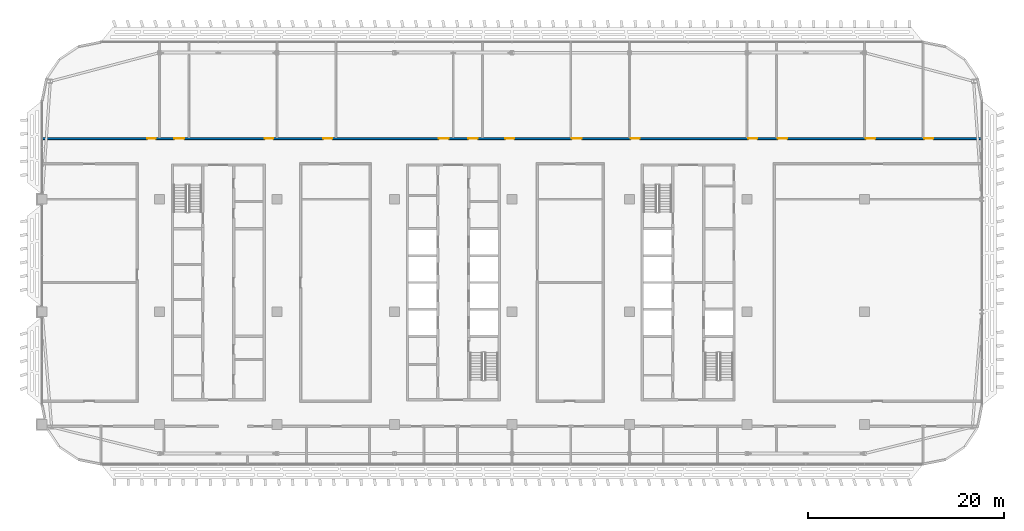
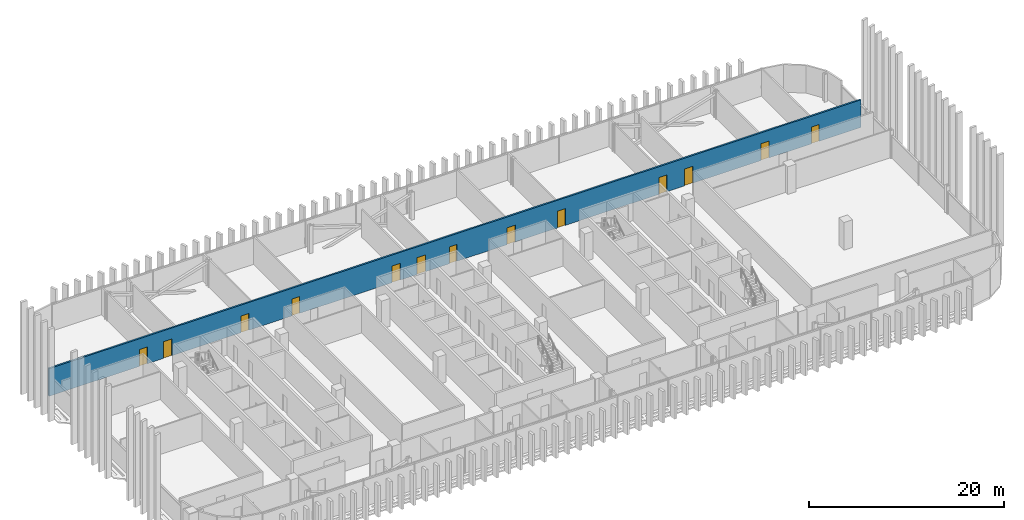
# One storey, part 19 of 32: 13 doors, 1 wall, 13 openings.
"""IFC4 building model written with IfcOpenShell, lengths in metres."""

import ifcopenshell
import ifcopenshell.guid

model = None  # the IFC model being written
_history = None  # IfcOwnerHistory: only IFC2X3 demands one
_inside = {}  # id of a spatial element -> (the spatial element, [elements in it])
_under = {}  # id of a project, library or spatial element -> (it, [spatial elements below it])
_declared = {}  # id of a project -> (the project, [libraries it declares])
_typed = {}  # id of a type object -> (the type object, [elements of that type])
_made_of = {}  # id of a material, layer set ... -> (it, [elements and type objects made of it])


def new_model(schema):
    """Start an empty IFC model of exactly this schema.

    Asked for "IFC4X3", IfcOpenShell would pick the latest addendum, in which some entities
    have other attributes; the version numbers below select the first issue.
    IFC2X3 requires an IfcOwnerHistory on every rooted entity: one is made here for all.
    """
    global model, _history
    if schema == "IFC4X3":
        model = ifcopenshell.file(schema_version=(4, 3, 0, 0))
    else:
        model = ifcopenshell.file(schema=schema)
    _inside.clear()
    _under.clear()
    _declared.clear()
    _typed.clear()
    _made_of.clear()
    _history = None
    if model.schema == "IFC2X3":
        org = make("IfcOrganization", Name="unknown")
        user = make(
            "IfcPersonAndOrganization",
            ThePerson=make("IfcPerson", FamilyName="unknown"),
            TheOrganization=org,
        )
        app = make(
            "IfcApplication",
            ApplicationDeveloper=org,
            Version="unknown",
            ApplicationFullName="unknown",
            ApplicationIdentifier="unknown",
        )
        _history = make(
            "IfcOwnerHistory",
            OwningUser=user,
            OwningApplication=app,
            ChangeAction="ADDED",
            CreationDate=0,
        )
    return model


def make(cls, **values):
    """One entity of the class cls with the attributes given. An attribute that is None is left unset."""
    return model.create_entity(
        cls, **{name: value for name, value in values.items() if value is not None}
    )


def rooted(cls, **values):
    """An entity with a GlobalId (a new one), such as an element, a storey or a relation."""
    return make(cls, GlobalId=ifcopenshell.guid.new(), OwnerHistory=_history, **values)


def si_unit(unit_type, name, prefix=None):
    """IfcSIUnit, for example si_unit("LENGTHUNIT", "METRE", prefix="MILLI")."""
    return make("IfcSIUnit", UnitType=unit_type, Prefix=prefix, Name=name)


def assignment(units):
    """IfcUnitAssignment: the units of a project."""
    return None if units is None else make("IfcUnitAssignment", Units=units)


def point(xyz):
    """IfcCartesianPoint."""
    return None if xyz is None else make("IfcCartesianPoint", Coordinates=xyz)


def direction(xyz):
    """IfcDirection."""
    return None if xyz is None else make("IfcDirection", DirectionRatios=xyz)


def frame(location, z_axis=None, x_axis=None):
    """IfcAxis2Placement3D, a coordinate frame: its origin and axes. An axis left out is left unset."""
    return make(
        "IfcAxis2Placement3D",
        Location=point(location),
        Axis=direction(z_axis),
        RefDirection=direction(x_axis),
    )


def frame_2d(location, x_axis=None):
    """IfcAxis2Placement2D, a coordinate frame in the plane: its origin and x axis."""
    return make(
        "IfcAxis2Placement2D", Location=point(location), RefDirection=direction(x_axis)
    )


def origin():
    """The frame at (0, 0, 0) with its axes left unset."""
    return frame((0.0, 0.0, 0.0))


def place(relative_to, where):
    """IfcLocalPlacement: puts the frame where relative to a parent placement (None: the world)."""
    return make(
        "IfcLocalPlacement", PlacementRelTo=relative_to, RelativePlacement=where
    )


def context(
    kind, dimensions, precision=None, world=None, true_north=None, identifier=None
):
    """IfcGeometricRepresentationContext, for example the 3D "Model" context."""
    return make(
        "IfcGeometricRepresentationContext",
        ContextIdentifier=identifier,
        ContextType=kind,
        CoordinateSpaceDimension=dimensions,
        Precision=precision,
        WorldCoordinateSystem=world,
        TrueNorth=true_north,
    )


def subcontext(parent, identifier, kind, view, scale=None):
    """IfcGeometricRepresentationSubContext, for example "Body" below "Model"."""
    return make(
        "IfcGeometricRepresentationSubContext",
        ContextIdentifier=identifier,
        ContextType=kind,
        ParentContext=parent,
        TargetScale=scale,
        TargetView=view,
    )


def project(units=None, contexts=None):
    """IfcProject with its units and contexts."""
    return rooted(
        "IfcProject",
        Name="project",
        RepresentationContexts=contexts,
        UnitsInContext=assignment(units),
    )


def spatial(cls, under=None, at=None, **own):
    """A site, building, storey or space (cls), placed at a placement, below another one or the project."""
    s = rooted(cls, ObjectPlacement=at, **own)
    if under is not None:
        _under.setdefault(under.id(), (under, []))[1].append(s)
    return s


def profile(cls, at=None, kind="AREA", **sizes):
    """A parametric profile (cls). Its sizes go by their IFC names, for example OverallWidth=200.0."""
    return make(cls, ProfileType=kind, Position=at, **sizes)


def rectangle(**sizes):
    """IfcRectangleProfileDef."""
    return profile("IfcRectangleProfileDef", **sizes)


def extrude(swept, where, along, depth):
    """IfcExtrudedAreaSolid: the profile swept, set in the frame where, extruded along a direction by depth."""
    return make(
        "IfcExtrudedAreaSolid",
        SweptArea=swept,
        Position=where,
        ExtrudedDirection=direction(along),
        Depth=depth,
    )


def shape(context_of_items, identifier, shape_type, items):
    """IfcShapeRepresentation: the items that make up one representation, for example the "Body"."""
    return make(
        "IfcShapeRepresentation",
        ContextOfItems=context_of_items,
        RepresentationIdentifier=identifier,
        RepresentationType=shape_type,
        Items=items,
    )


def material(Name=None, Category=None):
    """IfcMaterial."""
    return make("IfcMaterial", Name=Name, Category=Category)


def layer(
    of_material, thickness, ventilated=None, Name=None, Category=None, Priority=None
):
    """IfcMaterialLayer: one layer of a wall or slab, of a material (None: an air gap)."""
    return make(
        "IfcMaterialLayer",
        Material=of_material,
        LayerThickness=thickness,
        IsVentilated=ventilated,
        Name=Name,
        Category=Category,
        Priority=Priority,
    )


def layer_set(layers, Name=None):
    """IfcMaterialLayerSet."""
    return make("IfcMaterialLayerSet", MaterialLayers=layers, LayerSetName=Name)


def made_of(thing, what):
    """Note that an element or type object is made of a material, layer set ...; save() writes the relation."""
    if what is not None:
        _made_of.setdefault(what.id(), (what, []))[1].append(thing)
    return thing


def type_object(cls, material=None, **own):
    """A type object (cls), such as IfcWallType, which elements share."""
    return made_of(rooted(cls, **own), material)


def element(
    cls,
    number,
    at=None,
    inside=None,
    cuts=None,
    type_object=None,
    material=None,
    context=None,
    identifier="Body",
    shape_type=None,
    held_by="IfcProductDefinitionShape",
    body=None,
    shapes=None,
    **own,
):
    """One element of the class cls, such as IfcWall. Its Tag is "e" and its number.

    at: its placement. inside: the storey or other place that contains it. cuts: it is an
    opening in that element (IfcRelVoidsElement). A single representation is given by context,
    identifier, shape_type and body (its items); several are given by shapes. held_by: the class
    of the entity that holds the representations. save() writes the other relations.
    """
    e = rooted(cls, Tag="e%d" % number, ObjectPlacement=at, **own)
    if body is not None:
        shapes = [shape(context, identifier, shape_type, body)]
    if shapes is not None:
        e.Representation = make(held_by, Representations=shapes)
    if inside is not None:
        _inside.setdefault(inside.id(), (inside, []))[1].append(e)
    if cuts is not None:
        rooted(
            "IfcRelVoidsElement", RelatingBuildingElement=cuts, RelatedOpeningElement=e
        )
    if type_object is not None:
        _typed.setdefault(type_object.id(), (type_object, []))[1].append(e)
    return made_of(e, material)


def fill(opening, filler):
    """IfcRelFillsElement: the door or window that sits in an opening."""
    return rooted(
        "IfcRelFillsElement",
        RelatingOpeningElement=opening,
        RelatedBuildingElement=filler,
    )


def aggregate(whole, parts):
    """IfcRelAggregates: a whole, such as a stair, and the parts it consists of."""
    return rooted("IfcRelAggregates", RelatingObject=whole, RelatedObjects=parts)


def save(model, path):
    """Write the relations noted so far, then the file.

    IfcRelAggregates (storeys below a building ...), IfcRelContainedInSpatialStructure (elements
    in a storey), IfcRelDefinesByType, IfcRelAssociatesMaterial and IfcRelDeclares: one each for
    every whole, place, type object, material and project.
    """
    for whole, parts in _under.values():
        aggregate(whole, parts)
    for where, things in _inside.values():
        rooted(
            "IfcRelContainedInSpatialStructure",
            RelatedElements=things,
            RelatingStructure=where,
        )
    for kind, things in _typed.values():
        rooted("IfcRelDefinesByType", RelatedObjects=things, RelatingType=kind)
    for what, things in _made_of.values():
        rooted("IfcRelAssociatesMaterial", RelatedObjects=things, RelatingMaterial=what)
    for by, libraries in _declared.values():
        rooted("IfcRelDeclares", RelatingContext=by, RelatedDefinitions=libraries)
    model.write(path)


model = new_model("IFC4")

# Units and contexts
model_context = context("Model", 3, precision=1e-05, world=origin(), true_north=direction((0.0, 1.0)))
body_context = subcontext(model_context, "Body", "Model", "MODEL_VIEW")
ifc_project = project(units=[si_unit("LENGTHUNIT", "METRE"), si_unit("AREAUNIT", "SQUARE_METRE"), si_unit("VOLUMEUNIT", "CUBIC_METRE"), si_unit("PLANEANGLEUNIT", "RADIAN"), si_unit("MASSUNIT", "GRAM", prefix="KILO")], contexts=[model_context])

# Site, building, storey
site_placement = place(None, origin())
site = spatial("IfcSite", under=ifc_project, at=site_placement, CompositionType="ELEMENT")
building_placement = place(site_placement, origin())
building = spatial("IfcBuilding", under=site, at=building_placement, Name="Mahtab Terrace Research Tower", CompositionType="ELEMENT")
storey_placement = place(building_placement, frame((0.0, 0.0, 243.800048828125)))
storey = spatial("IfcBuildingStorey", under=building, at=storey_placement, Name="L59", CompositionType="ELEMENT", Elevation=243.800048828125)

# Wall, openings, doors
ifc_material_1 = material(Name="Gypsum board corridor wall on steel studs", Category="steel")
ifc_layer = layer(ifc_material_1, 0.199951171875)
ifc_layer_set = layer_set([ifc_layer], Name="WALL CORRIDOR 200")
wall_type = type_object("IfcWallType", Name="WALL CORRIDOR 200", PredefinedType="PARTITIONING", material=ifc_layer_set)
wall_placement = place(storey_placement, frame((-41.97509765625, 17.699951171875, 0.0), z_axis=(0.0, 0.0, 1.0), x_axis=(1.0, 0.0, 0.0)))
wall = element("IfcWall", 1, at=wall_placement, inside=storey, type_object=wall_type, Name="L59-W025", PredefinedType="PARTITIONING", context=body_context, shape_type="SweptSolid", body=[
    extrude(rectangle(XDim=95.9501953125, YDim=0.199951171875, at=frame_2d((47.97509765625, 0.0))), origin(), (0.0, 0.0, 1.0), 3.4599609375),
])
opening_1_placement = place(wall_placement, frame((10.699951171875, 0.0, 0.0)))
opening_1 = element("IfcOpeningElement", 2, at=opening_1_placement, cuts=wall, Name="Opening L59-127", PredefinedType="OPENING", context=body_context, shape_type="SweptSolid", body=[
    extrude(rectangle(XDim=0.89990234375, YDim=2.10009765625, at=frame_2d((0.449951171875, 1.050048828125))), frame((0.0, 0.10986328125, 0.0), z_axis=(0.0, -1.0, 0.0), x_axis=(1.0, 0.0, 0.0)), (0.0, 0.0, 1.0), 0.219970703125),
])
opening_2_placement = place(wall_placement, frame((13.5, 0.0, 0.0)))
opening_2 = element("IfcOpeningElement", 3, at=opening_2_placement, cuts=wall, Name="Opening L59-128", PredefinedType="OPENING", context=body_context, shape_type="SweptSolid", body=[
    extrude(rectangle(XDim=1.0, YDim=2.10009765625, at=frame_2d((0.5, 1.050048828125))), frame((0.0, 0.10986328125, 0.0), z_axis=(0.0, -1.0, 0.0), x_axis=(1.0, 0.0, 0.0)), (0.0, 0.0, 1.0), 0.219970703125),
])
opening_3_placement = place(wall_placement, frame((22.699951171875, 0.0, 0.0)))
opening_3 = element("IfcOpeningElement", 4, at=opening_3_placement, cuts=wall, Name="Opening L59-129", PredefinedType="OPENING", context=body_context, shape_type="SweptSolid", body=[
    extrude(rectangle(XDim=0.89990234375, YDim=2.10009765625, at=frame_2d((0.449951171875, 1.050048828125))), frame((0.0, 0.10986328125, 0.0), z_axis=(0.0, -1.0, 0.0), x_axis=(1.0, 0.0, 0.0)), (0.0, 0.0, 1.0), 0.219970703125),
])
opening_4_placement = place(wall_placement, frame((28.699951171875, 0.0, 0.0)))
opening_4 = element("IfcOpeningElement", 5, at=opening_4_placement, cuts=wall, Name="Opening L59-130", PredefinedType="OPENING", context=body_context, shape_type="SweptSolid", body=[
    extrude(rectangle(XDim=0.89990234375, YDim=2.10009765625, at=frame_2d((0.449951171875, 1.050048828125))), frame((0.0, 0.10986328125, 0.0), z_axis=(0.0, -1.0, 0.0), x_axis=(1.0, 0.0, 0.0)), (0.0, 0.0, 1.0), 0.219970703125),
])
opening_5_placement = place(wall_placement, frame((40.5, 0.0, 0.0)))
opening_5 = element("IfcOpeningElement", 6, at=opening_5_placement, cuts=wall, Name="Opening L59-131", PredefinedType="OPENING", context=body_context, shape_type="SweptSolid", body=[
    extrude(rectangle(XDim=1.0, YDim=2.10009765625, at=frame_2d((0.5, 1.050048828125))), frame((0.0, 0.10986328125, 0.0), z_axis=(0.0, -1.0, 0.0), x_axis=(1.0, 0.0, 0.0)), (0.0, 0.0, 1.0), 0.219970703125),
])
opening_6_placement = place(wall_placement, frame((43.5, 0.0, 0.0)))
opening_6 = element("IfcOpeningElement", 7, at=opening_6_placement, cuts=wall, Name="Opening L59-132", PredefinedType="OPENING", context=body_context, shape_type="SweptSolid", body=[
    extrude(rectangle(XDim=1.0, YDim=2.10009765625, at=frame_2d((0.5, 1.050048828125))), frame((0.0, 0.10986328125, 0.0), z_axis=(0.0, -1.0, 0.0), x_axis=(1.0, 0.0, 0.0)), (0.0, 0.0, 1.0), 0.219970703125),
])
opening_7_placement = place(wall_placement, frame((47.300048828125, 0.0, 0.0)))
opening_7 = element("IfcOpeningElement", 8, at=opening_7_placement, cuts=wall, Name="Opening L59-133", PredefinedType="OPENING", context=body_context, shape_type="SweptSolid", body=[
    extrude(rectangle(XDim=0.89990234375, YDim=2.10009765625, at=frame_2d((0.449951171875, 1.050048828125))), frame((0.0, 0.10986328125, 0.0), z_axis=(0.0, -1.0, 0.0), x_axis=(1.0, 0.0, 0.0)), (0.0, 0.0, 1.0), 0.219970703125),
])
opening_8_placement = place(wall_placement, frame((54.10009765625, 0.0, 0.0)))
opening_8 = element("IfcOpeningElement", 9, at=opening_8_placement, cuts=wall, Name="Opening L59-134", PredefinedType="OPENING", context=body_context, shape_type="SweptSolid", body=[
    extrude(rectangle(XDim=1.0, YDim=2.10009765625, at=frame_2d((0.5, 1.050048828125))), frame((0.0, 0.10986328125, 0.0), z_axis=(0.0, -1.0, 0.0), x_axis=(1.0, 0.0, 0.0)), (0.0, 0.0, 1.0), 0.219970703125),
])
opening_9_placement = place(wall_placement, frame((60.10009765625, 0.0, 0.0)))
opening_9 = element("IfcOpeningElement", 10, at=opening_9_placement, cuts=wall, Name="Opening L59-135", PredefinedType="OPENING", context=body_context, shape_type="SweptSolid", body=[
    extrude(rectangle(XDim=0.89990234375, YDim=2.10009765625, at=frame_2d((0.449951171875, 1.050048828125))), frame((0.0, 0.10986328125, 0.0), z_axis=(0.0, -1.0, 0.0), x_axis=(1.0, 0.0, 0.0)), (0.0, 0.0, 1.0), 0.219970703125),
])
opening_10_placement = place(wall_placement, frame((72.10009765625, 0.0, 0.0)))
opening_10 = element("IfcOpeningElement", 11, at=opening_10_placement, cuts=wall, Name="Opening L59-136", PredefinedType="OPENING", context=body_context, shape_type="SweptSolid", body=[
    extrude(rectangle(XDim=0.89990234375, YDim=2.10009765625, at=frame_2d((0.449951171875, 1.050048828125))), frame((0.0, 0.10986328125, 0.0), z_axis=(0.0, -1.0, 0.0), x_axis=(1.0, 0.0, 0.0)), (0.0, 0.0, 1.0), 0.219970703125),
])
opening_11_placement = place(wall_placement, frame((75.10009765625, 0.0, 0.0)))
opening_11 = element("IfcOpeningElement", 12, at=opening_11_placement, cuts=wall, Name="Opening L59-137", PredefinedType="OPENING", context=body_context, shape_type="SweptSolid", body=[
    extrude(rectangle(XDim=1.0, YDim=2.10009765625, at=frame_2d((0.5, 1.050048828125))), frame((0.0, 0.10986328125, 0.0), z_axis=(0.0, -1.0, 0.0), x_axis=(1.0, 0.0, 0.0)), (0.0, 0.0, 1.0), 0.219970703125),
])
opening_12_placement = place(wall_placement, frame((84.10009765625, 0.0, 0.0)))
opening_12 = element("IfcOpeningElement", 13, at=opening_12_placement, cuts=wall, Name="Opening L59-138", PredefinedType="OPENING", context=body_context, shape_type="SweptSolid", body=[
    extrude(rectangle(XDim=1.0, YDim=2.10009765625, at=frame_2d((0.5, 1.050048828125))), frame((0.0, 0.10986328125, 0.0), z_axis=(0.0, -1.0, 0.0), x_axis=(1.0, 0.0, 0.0)), (0.0, 0.0, 1.0), 0.219970703125),
])
opening_13_placement = place(wall_placement, frame((90.10009765625, 0.0, 0.0)))
opening_13 = element("IfcOpeningElement", 14, at=opening_13_placement, cuts=wall, Name="Opening L59-139", PredefinedType="OPENING", context=body_context, shape_type="SweptSolid", body=[
    extrude(rectangle(XDim=0.89990234375, YDim=2.10009765625, at=frame_2d((0.449951171875, 1.050048828125))), frame((0.0, 0.10986328125, 0.0), z_axis=(0.0, -1.0, 0.0), x_axis=(1.0, 0.0, 0.0)), (0.0, 0.0, 1.0), 0.219970703125),
])
ifc_material_2 = material(Name="Timber door leaf in steel frame", Category="steel")
door_type_1 = type_object("IfcDoorType", Name="DOOR 0900X2100 FD30S", OperationType="SINGLE_SWING_LEFT", PredefinedType="DOOR", material=ifc_material_2)
door_1_placement = place(opening_1_placement, origin())
door_1 = element("IfcDoor", 15, at=door_1_placement, inside=storey, type_object=door_type_1, Name="Door L59-127", OperationType="SINGLE_SWING_LEFT", OverallHeight=2.10009765625, OverallWidth=0.89990234375, PredefinedType="DOOR", context=body_context, shape_type="SweptSolid", body=[
    extrude(rectangle(XDim=0.89990234375, YDim=2.10009765625, at=frame_2d((0.449951171875, 1.050048828125))), frame((0.0, 0.02490234375, 0.0), z_axis=(0.0, -1.0, 0.0), x_axis=(1.0, 0.0, 0.0)), (0.0, 0.0, 1.0), 0.050048828125),
])
fill(opening_1, door_1)
door_2_placement = place(opening_3_placement, origin())
door_2 = element("IfcDoor", 16, at=door_2_placement, inside=storey, type_object=door_type_1, Name="Door L59-129", OperationType="SINGLE_SWING_LEFT", OverallHeight=2.10009765625, OverallWidth=0.89990234375, PredefinedType="DOOR", context=body_context, shape_type="SweptSolid", body=[
    extrude(rectangle(XDim=0.89990234375, YDim=2.10009765625, at=frame_2d((0.449951171875, 1.050048828125))), frame((0.0, 0.02490234375, 0.0), z_axis=(0.0, -1.0, 0.0), x_axis=(1.0, 0.0, 0.0)), (0.0, 0.0, 1.0), 0.050048828125),
])
fill(opening_3, door_2)
door_3_placement = place(opening_4_placement, origin())
door_3 = element("IfcDoor", 17, at=door_3_placement, inside=storey, type_object=door_type_1, Name="Door L59-130", OperationType="SINGLE_SWING_LEFT", OverallHeight=2.10009765625, OverallWidth=0.89990234375, PredefinedType="DOOR", context=body_context, shape_type="SweptSolid", body=[
    extrude(rectangle(XDim=0.89990234375, YDim=2.10009765625, at=frame_2d((0.449951171875, 1.050048828125))), frame((0.0, 0.02490234375, 0.0), z_axis=(0.0, -1.0, 0.0), x_axis=(1.0, 0.0, 0.0)), (0.0, 0.0, 1.0), 0.050048828125),
])
fill(opening_4, door_3)
door_4_placement = place(opening_7_placement, origin())
door_4 = element("IfcDoor", 18, at=door_4_placement, inside=storey, type_object=door_type_1, Name="Door L59-133", OperationType="SINGLE_SWING_LEFT", OverallHeight=2.10009765625, OverallWidth=0.89990234375, PredefinedType="DOOR", context=body_context, shape_type="SweptSolid", body=[
    extrude(rectangle(XDim=0.89990234375, YDim=2.10009765625, at=frame_2d((0.449951171875, 1.050048828125))), frame((0.0, 0.02490234375, 0.0), z_axis=(0.0, -1.0, 0.0), x_axis=(1.0, 0.0, 0.0)), (0.0, 0.0, 1.0), 0.050048828125),
])
fill(opening_7, door_4)
door_5_placement = place(opening_9_placement, origin())
door_5 = element("IfcDoor", 19, at=door_5_placement, inside=storey, type_object=door_type_1, Name="Door L59-135", OperationType="SINGLE_SWING_RIGHT", OverallHeight=2.10009765625, OverallWidth=0.89990234375, PredefinedType="DOOR", context=body_context, shape_type="SweptSolid", body=[
    extrude(rectangle(XDim=0.89990234375, YDim=2.10009765625, at=frame_2d((0.449951171875, 1.050048828125))), frame((0.0, 0.02490234375, 0.0), z_axis=(0.0, -1.0, 0.0), x_axis=(1.0, 0.0, 0.0)), (0.0, 0.0, 1.0), 0.050048828125),
])
fill(opening_9, door_5)
door_6_placement = place(opening_10_placement, origin())
door_6 = element("IfcDoor", 20, at=door_6_placement, inside=storey, type_object=door_type_1, Name="Door L59-136", OperationType="SINGLE_SWING_RIGHT", OverallHeight=2.10009765625, OverallWidth=0.89990234375, PredefinedType="DOOR", context=body_context, shape_type="SweptSolid", body=[
    extrude(rectangle(XDim=0.89990234375, YDim=2.10009765625, at=frame_2d((0.449951171875, 1.050048828125))), frame((0.0, 0.02490234375, 0.0), z_axis=(0.0, -1.0, 0.0), x_axis=(1.0, 0.0, 0.0)), (0.0, 0.0, 1.0), 0.050048828125),
])
fill(opening_10, door_6)
door_7_placement = place(opening_13_placement, origin())
door_7 = element("IfcDoor", 21, at=door_7_placement, inside=storey, type_object=door_type_1, Name="Door L59-139", OperationType="SINGLE_SWING_RIGHT", OverallHeight=2.10009765625, OverallWidth=0.89990234375, PredefinedType="DOOR", context=body_context, shape_type="SweptSolid", body=[
    extrude(rectangle(XDim=0.89990234375, YDim=2.10009765625, at=frame_2d((0.449951171875, 1.050048828125))), frame((0.0, 0.02490234375, 0.0), z_axis=(0.0, -1.0, 0.0), x_axis=(1.0, 0.0, 0.0)), (0.0, 0.0, 1.0), 0.050048828125),
])
fill(opening_13, door_7)
door_type_2 = type_object("IfcDoorType", Name="DOOR 1000X2100 FD30S", OperationType="SINGLE_SWING_LEFT", PredefinedType="DOOR", material=ifc_material_2)
door_8_placement = place(opening_2_placement, origin())
door_8 = element("IfcDoor", 22, at=door_8_placement, inside=storey, type_object=door_type_2, Name="Door L59-128", OperationType="SINGLE_SWING_LEFT", OverallHeight=2.10009765625, OverallWidth=1.0, PredefinedType="DOOR", context=body_context, shape_type="SweptSolid", body=[
    extrude(rectangle(XDim=1.0, YDim=2.10009765625, at=frame_2d((0.5, 1.050048828125))), frame((0.0, 0.02490234375, 0.0), z_axis=(0.0, -1.0, 0.0), x_axis=(1.0, 0.0, 0.0)), (0.0, 0.0, 1.0), 0.050048828125),
])
fill(opening_2, door_8)
door_9_placement = place(opening_5_placement, origin())
door_9 = element("IfcDoor", 23, at=door_9_placement, inside=storey, type_object=door_type_2, Name="Door L59-131", OperationType="SINGLE_SWING_LEFT", OverallHeight=2.10009765625, OverallWidth=1.0, PredefinedType="DOOR", context=body_context, shape_type="SweptSolid", body=[
    extrude(rectangle(XDim=1.0, YDim=2.10009765625, at=frame_2d((0.5, 1.050048828125))), frame((0.0, 0.02490234375, 0.0), z_axis=(0.0, -1.0, 0.0), x_axis=(1.0, 0.0, 0.0)), (0.0, 0.0, 1.0), 0.050048828125),
])
fill(opening_5, door_9)
door_10_placement = place(opening_6_placement, origin())
door_10 = element("IfcDoor", 24, at=door_10_placement, inside=storey, type_object=door_type_2, Name="Door L59-132", OperationType="SINGLE_SWING_LEFT", OverallHeight=2.10009765625, OverallWidth=1.0, PredefinedType="DOOR", context=body_context, shape_type="SweptSolid", body=[
    extrude(rectangle(XDim=1.0, YDim=2.10009765625, at=frame_2d((0.5, 1.050048828125))), frame((0.0, 0.02490234375, 0.0), z_axis=(0.0, -1.0, 0.0), x_axis=(1.0, 0.0, 0.0)), (0.0, 0.0, 1.0), 0.050048828125),
])
fill(opening_6, door_10)
door_11_placement = place(opening_8_placement, origin())
door_11 = element("IfcDoor", 25, at=door_11_placement, inside=storey, type_object=door_type_2, Name="Door L59-134", OperationType="SINGLE_SWING_RIGHT", OverallHeight=2.10009765625, OverallWidth=1.0, PredefinedType="DOOR", context=body_context, shape_type="SweptSolid", body=[
    extrude(rectangle(XDim=1.0, YDim=2.10009765625, at=frame_2d((0.5, 1.050048828125))), frame((0.0, 0.02490234375, 0.0), z_axis=(0.0, -1.0, 0.0), x_axis=(1.0, 0.0, 0.0)), (0.0, 0.0, 1.0), 0.050048828125),
])
fill(opening_8, door_11)
door_12_placement = place(opening_11_placement, origin())
door_12 = element("IfcDoor", 26, at=door_12_placement, inside=storey, type_object=door_type_2, Name="Door L59-137", OperationType="SINGLE_SWING_RIGHT", OverallHeight=2.10009765625, OverallWidth=1.0, PredefinedType="DOOR", context=body_context, shape_type="SweptSolid", body=[
    extrude(rectangle(XDim=1.0, YDim=2.10009765625, at=frame_2d((0.5, 1.050048828125))), frame((0.0, 0.02490234375, 0.0), z_axis=(0.0, -1.0, 0.0), x_axis=(1.0, 0.0, 0.0)), (0.0, 0.0, 1.0), 0.050048828125),
])
fill(opening_11, door_12)
door_13_placement = place(opening_12_placement, origin())
door_13 = element("IfcDoor", 27, at=door_13_placement, inside=storey, type_object=door_type_2, Name="Door L59-138", OperationType="SINGLE_SWING_RIGHT", OverallHeight=2.10009765625, OverallWidth=1.0, PredefinedType="DOOR", context=body_context, shape_type="SweptSolid", body=[
    extrude(rectangle(XDim=1.0, YDim=2.10009765625, at=frame_2d((0.5, 1.050048828125))), frame((0.0, 0.02490234375, 0.0), z_axis=(0.0, -1.0, 0.0), x_axis=(1.0, 0.0, 0.0)), (0.0, 0.0, 1.0), 0.050048828125),
])
fill(opening_12, door_13)

save(model, "model.ifc")
